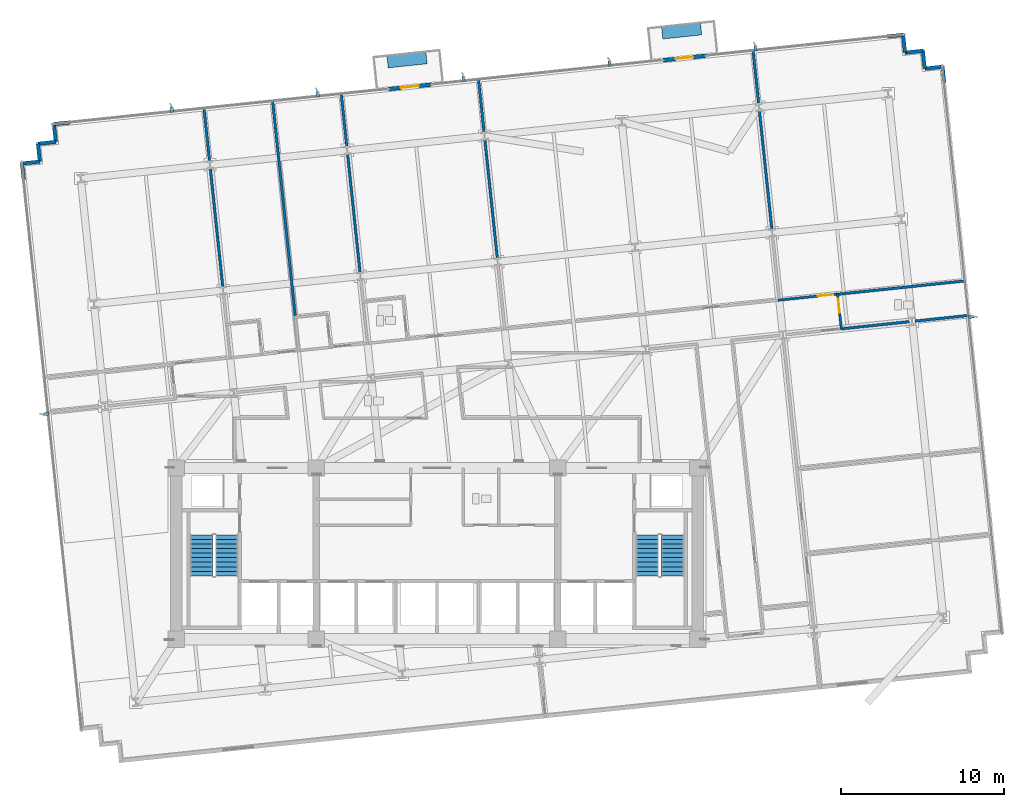
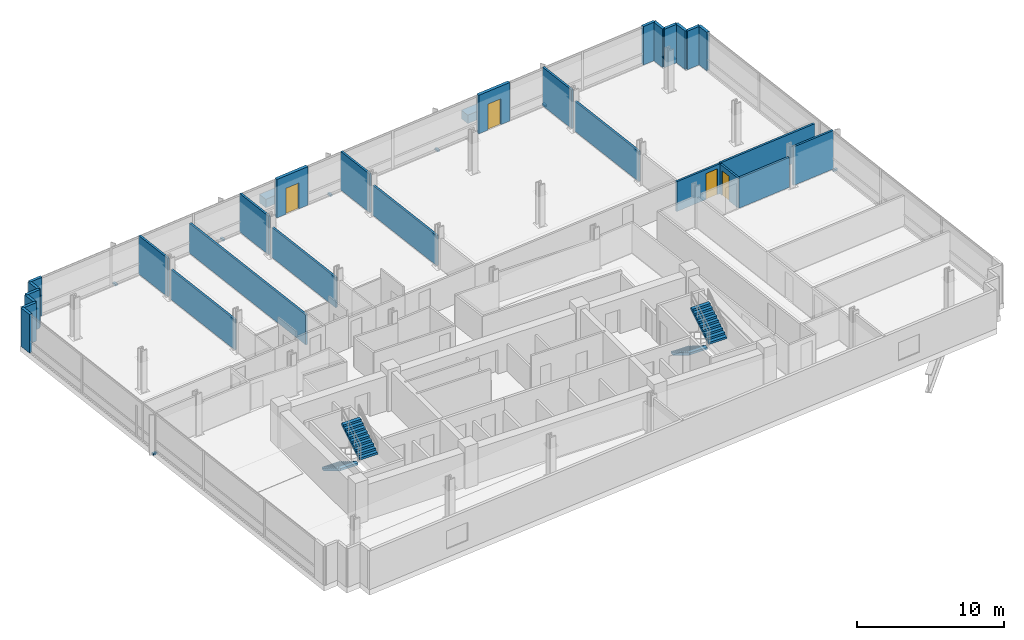
# One storey, part 13 of 18: 28 walls, 9 discrete accessories, 4 doors, 4 stair flights, 4 openings, 2 elements without a shape of their own.
"""IFC4 building model written with IfcOpenShell, lengths in metres."""

from ifc_helpers import new_model, si_unit, direction, frame, frame_2d, origin, origin_2d, place, context, subcontext, project, spatial, polyline, rectangle, outline, extrude, material, layer, layer_set, type_object, element, fill, aggregate, save


model = new_model("IFC4")

# Units and contexts
model_context = context("Model", 3, precision=1e-05, world=origin(), true_north=direction((0.0, 1.0)))
body_context = subcontext(model_context, "Body", "Model", "MODEL_VIEW")
ifc_project = project(units=[si_unit("LENGTHUNIT", "METRE"), si_unit("AREAUNIT", "SQUARE_METRE"), si_unit("VOLUMEUNIT", "CUBIC_METRE"), si_unit("PLANEANGLEUNIT", "RADIAN"), si_unit("MASSUNIT", "GRAM", prefix="KILO")], contexts=[model_context])

# Site, building, storey
site_placement = place(None, origin())
site = spatial("IfcSite", under=ifc_project, at=site_placement, CompositionType="ELEMENT")
building_placement = place(site_placement, origin())
building = spatial("IfcBuilding", under=site, at=building_placement, Name="Solmavex Isthmus Hotel", CompositionType="ELEMENT")
storey_placement = place(building_placement, frame((0.0, 0.0, 80.10009765625)))
storey = spatial("IfcBuildingStorey", under=building, at=storey_placement, Name="L21", CompositionType="ELEMENT", Elevation=80.10009765625)

# Wall, opening, door
ifc_material_1 = material(Name="Precast Concrete C40/50", Category="concrete")
ifc_layer_1 = layer(ifc_material_1, 0.25)
ifc_layer_set_1 = layer_set([ifc_layer_1], Name="Precast Concrete C40/50")
wall_type_1 = type_object("IfcWallType", Name="EW-TWR-250", PredefinedType="STANDARD", material=ifc_layer_set_1)
wall_1_placement = place(storey_placement, frame((-2.95458984375, 20.744140625, 0.0), z_axis=(0.0, 0.0, 1.0), x_axis=(0.994523446942, 0.104513699976, 0.0)))
wall_1 = element("IfcWall", 1, at=wall_1_placement, inside=storey, type_object=wall_type_1, Name="Exterior Balcony Door Wall L21-2", PredefinedType="STANDARD", context=body_context, shape_type="SweptSolid", body=[
    extrude(rectangle(XDim=2.599853515625, YDim=0.239990234375, at=frame_2d((1.2998046875, 0.0))), origin(), (0.0, 0.0, 1.0), 3.18994140625),
])
opening_1_placement = place(wall_1_placement, frame((0.75, 0.0, 0.0)))
opening_1 = element("IfcOpeningElement", 2, at=opening_1_placement, cuts=wall_1, Name="Opening ED-02", PredefinedType="OPENING", context=body_context, shape_type="SweptSolid", body=[
    extrude(rectangle(XDim=1.10009765625, YDim=2.14990234375, at=frame_2d((0.550048828125, 1.074951171875))), frame((0.0, 0.1298828125, 0.0), z_axis=(0.0, -1.0, 0.0), x_axis=(1.0, 0.0, 0.0)), (0.0, 0.0, 1.0), 0.260009765625),
])
ifc_material_2 = material(Name="Aluminium alloy 6063-T6", Category="aluminium")
door_type_1 = type_object("IfcDoorType", Name="EDR-BALC-1100", OperationType="NOTDEFINED", PredefinedType="DOOR", material=ifc_material_2)
door_1_placement = place(opening_1_placement, origin())
door_1 = element("IfcDoor", 3, at=door_1_placement, inside=storey, type_object=door_type_1, Name="Balcony & Terrace Glazed Door L21-2", OperationType="SINGLE_SWING_RIGHT", OverallHeight=2.14990234375, OverallWidth=1.10009765625, PredefinedType="DOOR", context=body_context, shape_type="SweptSolid", body=[
    extrude(rectangle(XDim=1.10009765625, YDim=2.14990234375, at=frame_2d((0.550048828125, 1.074951171875))), frame((0.0, 0.02490234375, 0.0), z_axis=(0.0, -1.0, 0.0), x_axis=(1.0, 0.0, 0.0)), (0.0, 0.0, 1.0), 0.050048828125),
])
fill(opening_1, door_1)

wall_2_placement = place(storey_placement, frame((13.884765625, 22.513916015625, 0.0), z_axis=(0.0, 0.0, 1.0), x_axis=(0.994523446942, 0.104513699976, 0.0)))
wall_2 = element("IfcWall", 4, at=wall_2_placement, inside=storey, type_object=wall_type_1, Name="Exterior Balcony Door Wall L21-3", PredefinedType="STANDARD", context=body_context, shape_type="SweptSolid", body=[
    extrude(rectangle(XDim=2.599853515625, YDim=0.239990234375, at=frame_2d((1.2998046875, 0.0))), origin(), (0.0, 0.0, 1.0), 3.18994140625),
])
opening_2_placement = place(wall_2_placement, frame((0.75, 0.0, 0.0)))
opening_2 = element("IfcOpeningElement", 5, at=opening_2_placement, cuts=wall_2, Name="Opening ED-02", PredefinedType="OPENING", context=body_context, shape_type="SweptSolid", body=[
    extrude(rectangle(XDim=1.10009765625, YDim=2.14990234375, at=frame_2d((0.550048828125, 1.074951171875))), frame((0.0, 0.1298828125, 0.0), z_axis=(0.0, -1.0, 0.0), x_axis=(1.0, 0.0, 0.0)), (0.0, 0.0, 1.0), 0.260009765625),
])
door_2_placement = place(opening_2_placement, origin())
door_2 = element("IfcDoor", 6, at=door_2_placement, inside=storey, type_object=door_type_1, Name="Balcony & Terrace Glazed Door L21-3", OperationType="SINGLE_SWING_LEFT", OverallHeight=2.14990234375, OverallWidth=1.10009765625, PredefinedType="DOOR", context=body_context, shape_type="SweptSolid", body=[
    extrude(rectangle(XDim=1.10009765625, YDim=2.14990234375, at=frame_2d((0.550048828125, 1.074951171875))), frame((0.0, 0.02490234375, 0.0), z_axis=(0.0, -1.0, 0.0), x_axis=(1.0, 0.0, 0.0)), (0.0, 0.0, 1.0), 0.050048828125),
])
fill(opening_2, door_2)

# Walls
wall_3_placement = place(storey_placement, frame((-25.35400390625, 15.1923828125, 0.0), z_axis=(0.0, 0.0, 1.0), x_axis=(-0.104556418955, 0.99451895671, 0.0)))
element("IfcWall", 7, at=wall_3_placement, inside=storey, type_object=wall_type_1, Name="Serrated Corner Facade Panel L21-07", PredefinedType="STANDARD", context=body_context, shape_type="SweptSolid", body=[
    extrude(rectangle(XDim=0.989990234375, YDim=0.219970703125, at=frame_2d((0.4951171875, 0.0))), origin(), (0.0, 0.0, 1.0), 3.18994140625),
])
wall_4_placement = place(storey_placement, frame((-25.45751953125, 16.177001953125, 0.0), z_axis=(0.0, 0.0, 1.0), x_axis=(0.994521251134, 0.104534592565, 0.0)))
element("IfcWall", 8, at=wall_4_placement, inside=storey, type_object=wall_type_1, Name="Serrated Corner Facade Panel L21-08", PredefinedType="STANDARD", context=body_context, shape_type="SweptSolid", body=[
    extrude(rectangle(XDim=1.10009765625, YDim=0.219970703125, at=frame_2d((0.550048828125, 0.0))), origin(), (0.0, 0.0, 1.0), 3.18994140625),
])
wall_5_placement = place(storey_placement, frame((-24.363525390625, 16.2919921875, 0.0), z_axis=(0.0, 0.0, 1.0), x_axis=(-0.104557671117, 0.994518825066, 0.0)))
element("IfcWall", 9, at=wall_5_placement, inside=storey, type_object=wall_type_1, Name="Serrated Corner Facade Panel L21-09", PredefinedType="STANDARD", context=body_context, shape_type="SweptSolid", body=[
    extrude(rectangle(XDim=1.099853515625, YDim=0.219970703125, at=frame_2d((0.5498046875, 0.0))), origin(), (0.0, 0.0, 1.0), 3.18994140625),
])
for number, where, z_axis, x_axis, name in (
    (10, (-24.478515625, 17.3857421875, 0.0), (0.0, 0.0, 1.0), (0.994521251134, 0.104534592565, 0.0), "Serrated Corner Facade Panel L21-10"),
    (11, (-23.384521484375, 17.500732421875, 0.0), (0.0, 0.0, 1.0), (-0.104534592565, 0.994521251134, 0.0), "Serrated Corner Facade Panel L21-11"),
):
    element("IfcWall", number, at=place(storey_placement, frame(where, z_axis=z_axis, x_axis=x_axis)), inside=storey, type_object=wall_type_1, Name=name, PredefinedType="STANDARD", context=body_context, shape_type="SweptSolid", body=[
        extrude(rectangle(XDim=1.10009765625, YDim=0.219970703125, at=frame_2d((0.550048828125, 0.0))), origin(), (0.0, 0.0, 1.0), 3.18994140625),
    ])
wall_6_placement = place(storey_placement, frame((-23.49951171875, 18.5947265625, 0.0), z_axis=(0.0, 0.0, 1.0), x_axis=(0.99451895671, 0.104556418955, 0.0)))
element("IfcWall", 12, at=wall_6_placement, inside=storey, type_object=wall_type_1, Name="Serrated Corner Facade Panel L21-12", PredefinedType="STANDARD", context=body_context, shape_type="SweptSolid", body=[
    extrude(rectangle(XDim=0.989990234375, YDim=0.219970703125, at=frame_2d((0.4951171875, 0.0))), origin(), (0.0, 0.0, 1.0), 3.18994140625),
])
wall_7_placement = place(storey_placement, frame((27.609130859375, 23.966552734375, 0.0), z_axis=(0.0, 0.0, 1.0), x_axis=(0.994516259927, 0.104582067016, 0.0)))
element("IfcWall", 13, at=wall_7_placement, inside=storey, type_object=wall_type_1, Name="Serrated Corner Facade Panel L21-14", PredefinedType="STANDARD", context=body_context, shape_type="SweptSolid", body=[
    extrude(rectangle(XDim=0.98974609375, YDim=0.219970703125, at=frame_2d((0.494873046875, 0.0))), origin(), (0.0, 0.0, 1.0), 3.18994140625),
])
for number, where, z_axis, x_axis, name in (
    (14, (28.593505859375, 24.070068359375, 0.0), (0.0, 0.0, 1.0), (0.104534592565, -0.994521251134, 0.0), "Serrated Corner Facade Panel L21-15"),
    (15, (28.70849609375, 22.97607421875, 0.0), (0.0, 0.0, 1.0), (0.994521251134, 0.104534592565, 0.0), "Serrated Corner Facade Panel L21-16"),
    (16, (29.802490234375, 23.091064453125, 0.0), (0.0, 0.0, 1.0), (0.104534592565, -0.994521251134, 0.0), "Serrated Corner Facade Panel L21-17"),
    (17, (29.91748046875, 21.9970703125, 0.0), (0.0, 0.0, 1.0), (0.994521251134, 0.104534592565, 0.0), "Serrated Corner Facade Panel L21-18"),
):
    element("IfcWall", number, at=place(storey_placement, frame(where, z_axis=z_axis, x_axis=x_axis)), inside=storey, type_object=wall_type_1, Name=name, PredefinedType="STANDARD", context=body_context, shape_type="SweptSolid", body=[
        extrude(rectangle(XDim=1.10009765625, YDim=0.219970703125, at=frame_2d((0.550048828125, 0.0))), origin(), (0.0, 0.0, 1.0), 3.18994140625),
    ])
wall_8_placement = place(storey_placement, frame((31.011474609375, 22.112060546875, 0.0), z_axis=(0.0, 0.0, 1.0), x_axis=(0.104556418955, -0.99451895671, 0.0)))
element("IfcWall", 18, at=wall_8_placement, inside=storey, type_object=wall_type_1, Name="Serrated Corner Facade Panel L21-19", PredefinedType="STANDARD", context=body_context, shape_type="SweptSolid", body=[
    extrude(rectangle(XDim=0.989990234375, YDim=0.219970703125, at=frame_2d((0.4951171875, 0.0))), origin(), (0.0, 0.0, 1.0), 3.18994140625),
])
ifc_material_3 = material(Name="Gypsum plasterboard lining", Category="gypsum")
ifc_layer_2 = layer(ifc_material_3, 0.159912109375)
ifc_layer_set_2 = layer_set([ifc_layer_2], Name="Gypsum plasterboard lining")
wall_type_2 = type_object("IfcWallType", Name="IW-COMP-160", PredefinedType="PARTITIONING", material=ifc_layer_set_2)
wall_9_placement = place(storey_placement, frame((-14.29541015625, 19.59228515625, 0.0), z_axis=(0.0, 0.0, 1.0), x_axis=(0.10455555946, -0.99451904707, 0.0)))
element("IfcWall", 19, at=wall_9_placement, inside=storey, type_object=wall_type_2, Name="Interior Partition Wall W-L21-P035", PredefinedType="PARTITIONING", context=body_context, shape_type="SweptSolid", body=[
    extrude(rectangle(XDim=3.34375, YDim=0.159912109375, at=frame_2d((1.671875, 0.0))), origin(), (0.0, 0.0, 1.0), 3.18994140625),
])
wall_10_placement = place(storey_placement, frame((-13.908935546875, 15.91650390625, 0.0), z_axis=(0.0, 0.0, 1.0), x_axis=(0.104523341075, -0.994522433719, 0.0)))
element("IfcWall", 20, at=wall_10_placement, inside=storey, type_object=wall_type_2, Name="Interior Partition Wall W-L21-P036", PredefinedType="PARTITIONING", context=body_context, shape_type="SweptSolid", body=[
    extrude(rectangle(XDim=7.399658203125, YDim=0.159912109375, at=frame_2d((3.69970703125, 0.0))), origin(), (0.0, 0.0, 1.0), 2.4794921875),
])
wall_11_placement = place(storey_placement, frame((-10.08544921875, 20.034912109375, 0.0), z_axis=(0.0, 0.0, 1.0), x_axis=(0.104519454147, -0.994522842224, 0.0)))
element("IfcWall", 21, at=wall_11_placement, inside=storey, type_object=wall_type_2, Name="Interior Partition Wall W-L21-P042", PredefinedType="PARTITIONING", context=body_context, shape_type="SweptSolid", body=[
    extrude(rectangle(XDim=13.4521484375, YDim=0.159912109375, at=frame_2d((6.72607421875, 0.0))), origin(), (0.0, 0.0, 1.0), 2.4794921875),
])
wall_12_placement = place(storey_placement, frame((-5.875732421875, 20.477294921875, 0.0), z_axis=(0.0, 0.0, 1.0), x_axis=(0.10455555946, -0.99451904707, 0.0)))
element("IfcWall", 22, at=wall_12_placement, inside=storey, type_object=wall_type_2, Name="Interior Partition Wall W-L21-P046", PredefinedType="PARTITIONING", context=body_context, shape_type="SweptSolid", body=[
    extrude(rectangle(XDim=3.34375, YDim=0.159912109375, at=frame_2d((1.671875, 0.0))), origin(), (0.0, 0.0, 1.0), 3.18994140625),
])
wall_13_placement = place(storey_placement, frame((-5.4892578125, 16.80126953125, 0.0), z_axis=(0.0, 0.0, 1.0), x_axis=(0.104526770886, -0.994522073243, 0.0)))
element("IfcWall", 23, at=wall_13_placement, inside=storey, type_object=wall_type_2, Name="Interior Partition Wall W-L21-P047", PredefinedType="PARTITIONING", context=body_context, shape_type="SweptSolid", body=[
    extrude(rectangle(XDim=7.3994140625, YDim=0.159912109375, at=frame_2d((3.69970703125, 0.0))), origin(), (0.0, 0.0, 1.0), 2.4794921875),
])
wall_14_placement = place(storey_placement, frame((2.5439453125, 21.3623046875, 0.0), z_axis=(0.0, 0.0, 1.0), x_axis=(0.10455555946, -0.99451904707, 0.0)))
element("IfcWall", 24, at=wall_14_placement, inside=storey, type_object=wall_type_2, Name="Interior Partition Wall W-L21-P052", PredefinedType="PARTITIONING", context=body_context, shape_type="SweptSolid", body=[
    extrude(rectangle(XDim=3.34375, YDim=0.159912109375, at=frame_2d((1.671875, 0.0))), origin(), (0.0, 0.0, 1.0), 3.18994140625),
])
wall_15_placement = place(storey_placement, frame((2.93017578125, 17.686279296875, 0.0), z_axis=(0.0, 0.0, 1.0), x_axis=(0.104555973927, -0.994519003497, 0.0)))
element("IfcWall", 25, at=wall_15_placement, inside=storey, type_object=wall_type_2, Name="Interior Partition Wall W-L21-P053", PredefinedType="PARTITIONING", context=body_context, shape_type="SweptSolid", body=[
    extrude(rectangle(XDim=7.399658203125, YDim=0.159912109375, at=frame_2d((3.69970703125, 0.0))), origin(), (0.0, 0.0, 1.0), 2.4794921875),
])
wall_16_placement = place(storey_placement, frame((19.383056640625, 23.132080078125, 0.0), z_axis=(0.0, 0.0, 1.0), x_axis=(0.10455555946, -0.99451904707, 0.0)))
element("IfcWall", 26, at=wall_16_placement, inside=storey, type_object=wall_type_2, Name="Interior Partition Wall W-L21-P055", PredefinedType="PARTITIONING", context=body_context, shape_type="SweptSolid", body=[
    extrude(rectangle(XDim=3.34375, YDim=0.159912109375, at=frame_2d((1.671875, 0.0))), origin(), (0.0, 0.0, 1.0), 3.18994140625),
])
wall_17_placement = place(storey_placement, frame((19.76953125, 19.456298828125, 0.0), z_axis=(0.0, 0.0, 1.0), x_axis=(0.104523341075, -0.994522433719, 0.0)))
element("IfcWall", 27, at=wall_17_placement, inside=storey, type_object=wall_type_2, Name="Interior Partition Wall W-L21-P056", PredefinedType="PARTITIONING", context=body_context, shape_type="SweptSolid", body=[
    extrude(rectangle(XDim=7.399658203125, YDim=0.159912109375, at=frame_2d((3.69970703125, 0.0))), origin(), (0.0, 0.0, 1.0), 2.4794921875),
])
wall_18_placement = place(storey_placement, frame((32.422119140625, 8.9775390625, 0.0), z_axis=(0.0, 0.0, 1.0), x_axis=(-0.994522987852, -0.104518068455, 0.0)))
element("IfcWall", 28, at=wall_18_placement, inside=storey, type_object=wall_type_2, Name="Interior Partition Wall W-L21-P058", PredefinedType="PARTITIONING", context=body_context, shape_type="SweptSolid", body=[
    extrude(rectangle(XDim=7.927978515625, YDim=0.159912109375, at=frame_2d((3.9638671875, 0.0))), origin(), (0.0, 0.0, 1.0), 2.55322265625),
])
wall_19_placement = place(storey_placement, frame((28.96875, 6.472900390625, 0.0), z_axis=(0.0, 0.0, 1.0), x_axis=(-0.994520616656, -0.104540628691, 0.0)))
element("IfcWall", 29, at=wall_19_placement, inside=storey, type_object=wall_type_2, Name="Interior Partition Wall W-L21-P059", PredefinedType="PARTITIONING", context=body_context, shape_type="SweptSolid", body=[
    extrude(rectangle(XDim=4.231689453125, YDim=0.159912109375, at=frame_2d((2.11572265625, 0.0))), origin(), (0.0, 0.0, 1.0), 2.4794921875),
])
wall_20_placement = place(storey_placement, frame((32.644775390625, 6.859130859375, 0.0), z_axis=(0.0, 0.0, 1.0), x_axis=(-0.994526636649, -0.10448334315, 0.0)))
element("IfcWall", 30, at=wall_20_placement, inside=storey, type_object=wall_type_2, Name="Interior Partition Wall W-L21-P060", PredefinedType="PARTITIONING", context=body_context, shape_type="SweptSolid", body=[
    extrude(rectangle(XDim=3.34375, YDim=0.159912109375, at=frame_2d((1.671875, 0.0))), origin(), (0.0, 0.0, 1.0), 3.18994140625),
])

# Wall, opening, door
ifc_layer_3 = layer(ifc_material_3, 0.14990234375)
ifc_layer_set_3 = layer_set([ifc_layer_3], Name="Gypsum plasterboard lining")
wall_type_3 = type_object("IfcWallType", Name="IW-CORR-150", PredefinedType="PARTITIONING", material=ifc_layer_set_3)
wall_21_placement = place(storey_placement, frame((20.913330078125, 7.7880859375, 0.0), z_axis=(0.0, 0.0, 1.0), x_axis=(0.994525920558, 0.104490159046, 0.0)))
wall_21 = element("IfcWall", 31, at=wall_21_placement, inside=storey, type_object=wall_type_3, Name="Interior Partition Wall W-L21-P009", PredefinedType="PARTITIONING", context=body_context, shape_type="SweptSolid", body=[
    extrude(rectangle(XDim=3.721923828125, YDim=0.14990234375, at=frame_2d((1.86083984375, 0.0))), origin(), (0.0, 0.0, 1.0), 2.4794921875),
])
opening_3_placement = place(wall_21_placement, frame((2.456787109375, 0.0, 0.0)))
opening_3 = element("IfcOpeningElement", 32, at=opening_3_placement, cuts=wall_21, Name="Opening ID-C095", PredefinedType="OPENING", context=body_context, shape_type="SweptSolid", body=[
    extrude(rectangle(XDim=0.949951171875, YDim=2.14990234375, at=frame_2d((0.47509765625, 1.074951171875))), frame((0.0, 0.0849609375, 0.0), z_axis=(0.0, -1.0, 0.0), x_axis=(1.0, 0.0, 0.0)), (0.0, 0.0, 1.0), 0.169921875),
])
ifc_material_4 = material(Name="Hardwood timber", Category="wood")
door_type_2 = type_object("IfcDoorType", Name="IDR-FD60-0950", OperationType="NOTDEFINED", PredefinedType="DOOR", material=ifc_material_4)
door_3_placement = place(opening_3_placement, origin())
door_3 = element("IfcDoor", 33, at=door_3_placement, inside=storey, type_object=door_type_2, Name="Corporate Briefing Office Door L21-09", OperationType="SINGLE_SWING_LEFT", OverallHeight=2.14990234375, OverallWidth=0.949951171875, PredefinedType="DOOR", context=body_context, shape_type="SweptSolid", body=[
    extrude(rectangle(XDim=0.949951171875, YDim=2.14990234375, at=frame_2d((0.47509765625, 1.074951171875))), frame((0.0, 0.02490234375, 0.0), z_axis=(0.0, -1.0, 0.0), x_axis=(1.0, 0.0, 0.0)), (0.0, 0.0, 1.0), 0.050048828125),
])
fill(opening_3, door_3)

wall_22_placement = place(storey_placement, frame((24.5732421875, 8.19287109375, 0.0), z_axis=(0.0, 0.0, 1.0), x_axis=(0.104500773718, -0.994524805267, 0.0)))
wall_22 = element("IfcWall", 34, at=wall_22_placement, inside=storey, type_object=wall_type_3, Name="Interior Partition Wall W-L21-P015", PredefinedType="PARTITIONING", context=body_context, shape_type="SweptSolid", body=[
    extrude(rectangle(XDim=2.210205078125, YDim=0.14990234375, at=frame_2d((1.10498046875, 0.0))), origin(), (0.0, 0.0, 1.0), 2.4794921875),
])
opening_4_placement = place(wall_22_placement, frame((0.322265625, 0.0, 0.0)))
opening_4 = element("IfcOpeningElement", 35, at=opening_4_placement, cuts=wall_22, Name="Opening ID-R085", PredefinedType="OPENING", context=body_context, shape_type="SweptSolid", body=[
    extrude(rectangle(XDim=0.85009765625, YDim=2.050048828125, at=frame_2d((0.425048828125, 1.02490234375))), frame((0.0, 0.0849609375, 0.0), z_axis=(0.0, -1.0, 0.0), x_axis=(1.0, 0.0, 0.0)), (0.0, 0.0, 1.0), 0.169921875),
])
ifc_material_5 = material(Name="Steel ASTM A500 Grade C", Category="steel")
door_type_3 = type_object("IfcDoorType", Name="IDR-FD60-0850", OperationType="NOTDEFINED", PredefinedType="DOOR", material=ifc_material_5)
door_4_placement = place(opening_4_placement, origin())
door_4 = element("IfcDoor", 36, at=door_4_placement, inside=storey, type_object=door_type_3, Name="Public Restroom WC Door L21-11", OperationType="SINGLE_SWING_LEFT", OverallHeight=2.050048828125, OverallWidth=0.85009765625, PredefinedType="DOOR", context=body_context, shape_type="SweptSolid", body=[
    extrude(rectangle(XDim=0.85009765625, YDim=2.050048828125, at=frame_2d((0.425048828125, 1.02490234375))), frame((0.0, 0.02490234375, 0.0), z_axis=(0.0, -1.0, 0.0), x_axis=(1.0, 0.0, 0.0)), (0.0, 0.0, 1.0), 0.050048828125),
])
fill(opening_4, door_4)

# Stair, stair flights
ifc_material_6 = material(Name="Concrete C40/50", Category="concrete")
stair_type_1 = type_object("IfcStairType", Name="STR-ST-1", PredefinedType="HALF_TURN_STAIR", material=ifc_material_6)
stair_1_placement = place(storey_placement, origin())
stair_1 = element("IfcStair", 37, at=stair_1_placement, inside=storey, type_object=stair_type_1, Name="L21 Protected Exit Stair ST-1", PredefinedType="HALF_TURN_STAIR")
stair_flight_type_1 = type_object("IfcStairFlightType", Name="SFL-ST-1", PredefinedType="STRAIGHT", material=ifc_material_6)
stair_flight_1_placement = place(storey_placement, frame((-14.449951171875, -6.60009765625, 0.0), z_axis=(0.0, 0.0, 1.0), x_axis=(0.0, -1.0, 0.0)))
stair_flight_1 = element("IfcStairFlight", 38, at=stair_flight_1_placement, type_object=stair_flight_type_1, Name="ST-1 flight 1", NumberOfRisers=10, NumberOfTreads=9, PredefinedType="STRAIGHT", RiserHeight=0.1725, TreadLength=0.28, context=body_context, shape_type="SweptSolid", body=[
    extrude(outline(polyline([(0.0, 0.0), (0.0, 0.172607421875), (0.280029296875, 0.172607421875), (0.280029296875, 0.344970703125), (0.56005859375, 0.344970703125), (0.56005859375, 0.517578125), (0.840087890625, 0.517578125), (0.840087890625, 0.68994140625), (1.1201171875, 0.68994140625), (1.1201171875, 0.862548828125), (1.39990234375, 0.862548828125), (1.39990234375, 1.034912109375), (1.679931640625, 1.034912109375), (1.679931640625, 1.20751953125), (1.9599609375, 1.20751953125), (1.9599609375, 1.3798828125), (2.239990234375, 1.3798828125), (2.239990234375, 1.552490234375), (2.52001953125, 1.552490234375), (2.52001953125, 1.72509765625), (2.52001953125, 1.37646484375), (0.285888671875, 0.0), (0.0, 0.0)])), frame((0.0, 0.699951171875, 0.0), z_axis=(0.0, -1.0, 0.0), x_axis=(1.0, 0.0, 0.0)), (0.0, 0.0, 1.0), 1.39990234375),
])
stair_flight_2_placement = place(storey_placement, frame((-12.89990234375, -9.1201171875, 1.724853515625), z_axis=(0.0, 0.0, 1.0), x_axis=(0.0, 1.0, 0.0)))
stair_flight_2 = element("IfcStairFlight", 39, at=stair_flight_2_placement, type_object=stair_flight_type_1, Name="ST-1 flight 2", NumberOfRisers=10, NumberOfTreads=9, PredefinedType="STRAIGHT", RiserHeight=0.1725, TreadLength=0.28, context=body_context, shape_type="SweptSolid", body=[
    extrude(outline(polyline([(0.0, 0.0), (0.0, 0.172607421875), (0.280029296875, 0.172607421875), (0.280029296875, 0.344970703125), (0.56005859375, 0.344970703125), (0.56005859375, 0.517578125), (0.840087890625, 0.517578125), (0.840087890625, 0.68994140625), (1.1201171875, 0.68994140625), (1.1201171875, 0.862548828125), (1.39990234375, 0.862548828125), (1.39990234375, 1.034912109375), (1.679931640625, 1.034912109375), (1.679931640625, 1.20751953125), (1.9599609375, 1.20751953125), (1.9599609375, 1.3798828125), (2.239990234375, 1.3798828125), (2.239990234375, 1.552490234375), (2.52001953125, 1.552490234375), (2.52001953125, 1.72509765625), (2.52001953125, 1.37646484375), (0.285888671875, 0.0), (0.0, 0.0)])), frame((0.0, 0.699951171875, 0.0), z_axis=(0.0, -1.0, 0.0), x_axis=(1.0, 0.0, 0.0)), (0.0, 0.0, 1.0), 1.39990234375),
])
aggregate(stair_1, [stair_flight_1, stair_flight_2])

stair_type_2 = type_object("IfcStairType", Name="STR-ST-2", PredefinedType="HALF_TURN_STAIR", material=ifc_material_6)
stair_2_placement = place(storey_placement, origin())
stair_2 = element("IfcStair", 40, at=stair_2_placement, inside=storey, type_object=stair_type_2, Name="L21 Protected Exit Stair ST-2", PredefinedType="HALF_TURN_STAIR")
stair_flight_type_2 = type_object("IfcStairFlightType", Name="SFL-ST-2", PredefinedType="STRAIGHT", material=ifc_material_6)
stair_flight_3_placement = place(storey_placement, frame((12.89990234375, -6.60009765625, 0.0), z_axis=(0.0, 0.0, 1.0), x_axis=(0.0, -1.0, 0.0)))
stair_flight_3 = element("IfcStairFlight", 41, at=stair_flight_3_placement, type_object=stair_flight_type_2, Name="ST-2 flight 1", NumberOfRisers=10, NumberOfTreads=9, PredefinedType="STRAIGHT", RiserHeight=0.1725, TreadLength=0.28, context=body_context, shape_type="SweptSolid", body=[
    extrude(outline(polyline([(0.0, 0.0), (0.0, 0.172607421875), (0.280029296875, 0.172607421875), (0.280029296875, 0.344970703125), (0.56005859375, 0.344970703125), (0.56005859375, 0.517578125), (0.840087890625, 0.517578125), (0.840087890625, 0.68994140625), (1.1201171875, 0.68994140625), (1.1201171875, 0.862548828125), (1.39990234375, 0.862548828125), (1.39990234375, 1.034912109375), (1.679931640625, 1.034912109375), (1.679931640625, 1.20751953125), (1.9599609375, 1.20751953125), (1.9599609375, 1.3798828125), (2.239990234375, 1.3798828125), (2.239990234375, 1.552490234375), (2.52001953125, 1.552490234375), (2.52001953125, 1.72509765625), (2.52001953125, 1.37646484375), (0.285888671875, 0.0), (0.0, 0.0)])), frame((0.0, 0.699951171875, 0.0), z_axis=(0.0, -1.0, 0.0), x_axis=(1.0, 0.0, 0.0)), (0.0, 0.0, 1.0), 1.39990234375),
])
stair_flight_4_placement = place(storey_placement, frame((14.449951171875, -9.1201171875, 1.724853515625), z_axis=(0.0, 0.0, 1.0), x_axis=(0.0, 1.0, 0.0)))
stair_flight_4 = element("IfcStairFlight", 42, at=stair_flight_4_placement, type_object=stair_flight_type_2, Name="ST-2 flight 2", NumberOfRisers=10, NumberOfTreads=9, PredefinedType="STRAIGHT", RiserHeight=0.1725, TreadLength=0.28, context=body_context, shape_type="SweptSolid", body=[
    extrude(outline(polyline([(0.0, 0.0), (0.0, 0.172607421875), (0.280029296875, 0.172607421875), (0.280029296875, 0.344970703125), (0.56005859375, 0.344970703125), (0.56005859375, 0.517578125), (0.840087890625, 0.517578125), (0.840087890625, 0.68994140625), (1.1201171875, 0.68994140625), (1.1201171875, 0.862548828125), (1.39990234375, 0.862548828125), (1.39990234375, 1.034912109375), (1.679931640625, 1.034912109375), (1.679931640625, 1.20751953125), (1.9599609375, 1.20751953125), (1.9599609375, 1.3798828125), (2.239990234375, 1.3798828125), (2.239990234375, 1.552490234375), (2.52001953125, 1.552490234375), (2.52001953125, 1.72509765625), (2.52001953125, 1.37646484375), (0.285888671875, 0.0), (0.0, 0.0)])), frame((0.0, 0.699951171875, 0.0), z_axis=(0.0, -1.0, 0.0), x_axis=(1.0, 0.0, 0.0)), (0.0, 0.0, 1.0), 1.39990234375),
])
aggregate(stair_2, [stair_flight_3, stair_flight_4])

# Discrete accessories
ifc_material_7 = material(Name="Steel ASTM A572 Grade 50", Category="steel")
discrete_accessory_type_1 = type_object("IfcDiscreteAccessoryType", Name="ACC-BRK-FIN", PredefinedType="BRACKET", material=ifc_material_7)
for number, where, z_axis, x_axis, name in (
    (43, (-16.262939453125, 19.486083984375, -0.169921875), (0.0, 0.0, 1.0), (-0.104528463268, 0.994521895368, 0.0), "Facade Fin Support Bracket L21-N1"),
    (44, (-7.312255859375, 20.4267578125, -0.169921875), (0.0, 0.0, 1.0), (-0.104528463268, 0.994521895368, 0.0), "Facade Fin Support Bracket L21-N2"),
    (45, (1.638427734375, 21.36767578125, -0.169921875), (0.0, 0.0, 1.0), (-0.104528463268, 0.994521895368, 0.0), "Facade Fin Support Bracket L21-N3"),
    (46, (10.589111328125, 22.308349609375, -0.169921875), (0.0, 0.0, 1.0), (-0.104528463268, 0.994521895368, 0.0), "Facade Fin Support Bracket L21-N4"),
    (47, (19.539794921875, 23.2490234375, -0.169921875), (0.0, 0.0, 1.0), (-0.104528463268, 0.994521895368, 0.0), "Facade Fin Support Bracket L21-N5"),
    (48, (-23.972900390625, 0.807861328125, -0.169921875), (0.0, 0.0, 1.0), (-0.994521895368, -0.104528463268, 0.0), "Facade Fin Support Bracket L21-W1"),
    (49, (32.754638671875, 6.770263671875, -0.169921875), (0.0, 0.0, 1.0), (0.994521895368, 0.104528463268, 0.0), "Facade Fin Support Bracket L21-E1"),
):
    element("IfcDiscreteAccessory", number, at=place(storey_placement, frame(where, z_axis=z_axis, x_axis=x_axis)), inside=storey, type_object=discrete_accessory_type_1, Name=name, PredefinedType="BRACKET", context=body_context, shape_type="SweptSolid", body=[
        extrude(rectangle(XDim=0.340087890625, YDim=0.179931640625, at=origin_2d()), origin(), (0.0, 0.0, 1.0), 0.159912109375),
    ])
discrete_accessory_type_2 = type_object("IfcDiscreteAccessoryType", Name="ACC-PLN-BALC", PredefinedType="USERDEFINED", material=ifc_material_1)
for number, where, z_axis, x_axis, name in (
    (50, (-1.836181640625, 22.540771484375, 0.0), (0.0, 0.0, 1.0), (0.994521895368, 0.104528463268, 0.0), "Tree-Balcony Architectural Planter L21-B1"),
    (51, (15.0029296875, 24.310791015625, 0.0), (0.0, 0.0, 1.0), (0.994521895368, 0.104528463268, 0.0), "Tree-Balcony Architectural Planter L21-B2"),
):
    element("IfcDiscreteAccessory", number, at=place(storey_placement, frame(where, z_axis=z_axis, x_axis=x_axis)), inside=storey, type_object=discrete_accessory_type_2, Name=name, ObjectType="PLANTER", PredefinedType="USERDEFINED", context=body_context, shape_type="SweptSolid", body=[
        extrude(rectangle(XDim=2.39990234375, YDim=0.75, at=origin_2d()), origin(), (0.0, 0.0, 1.0), 0.699951171875),
    ])

save(model, "model.ifc")
